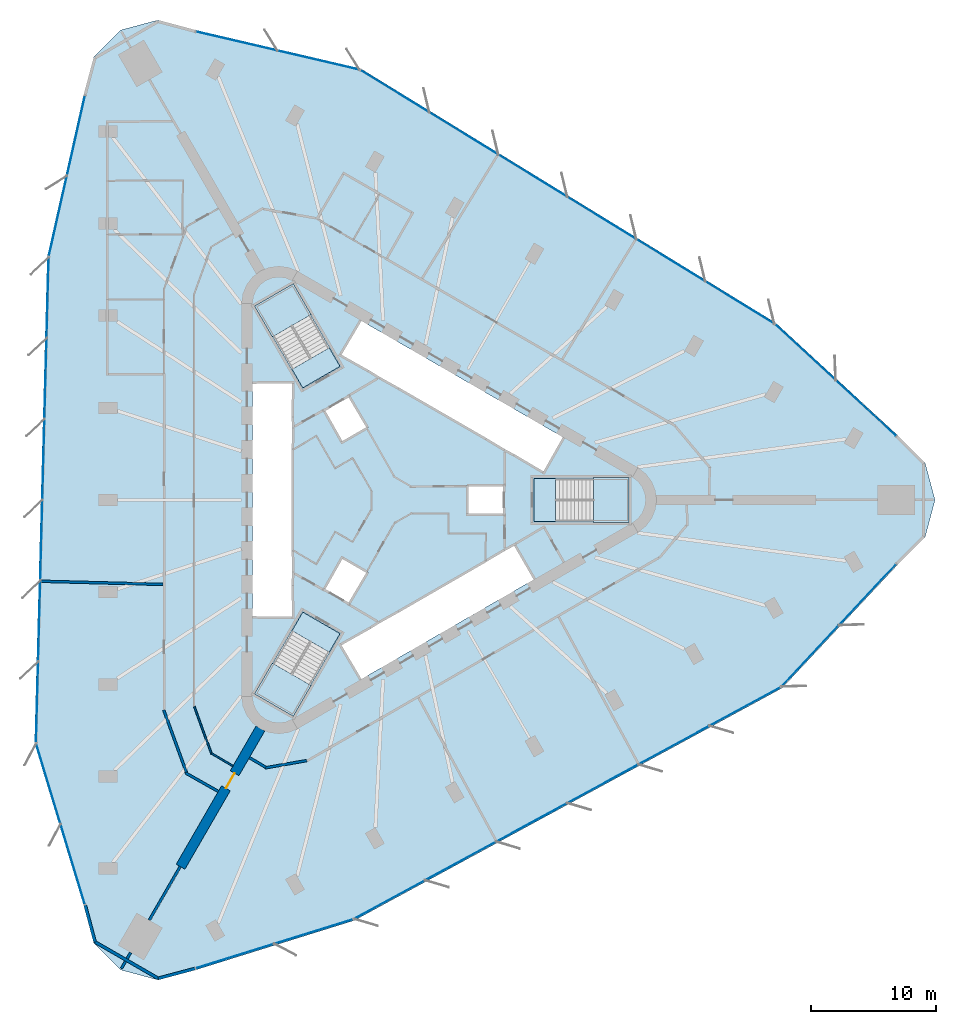
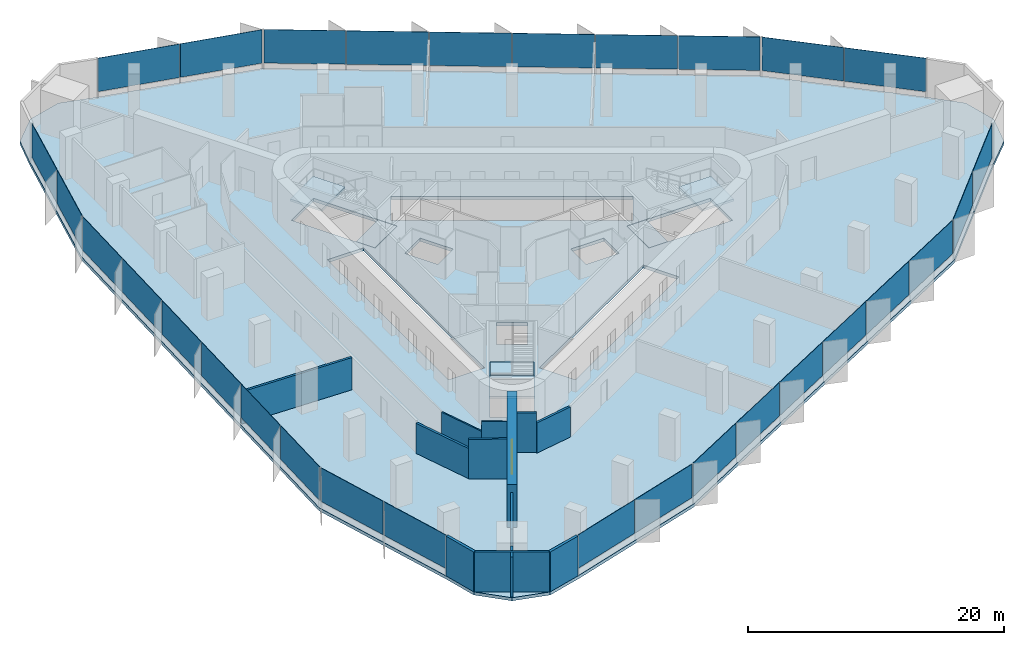
# One storey, part 8 of 14: 30 plates, 14 walls, 7 slabs, 1 door, 1 opening, 12 elements without a shape of their own.
"""IFC4 building model written with IfcOpenShell, lengths in metres."""

from ifc_helpers import new_model, si_unit, direction, frame, frame_2d, origin, origin_2d, place, context, subcontext, project, spatial, polyline, rectangle, outline, extrude, material, layer, layer_set, type_object, element, fill, aggregate, save


model = new_model("IFC4")

# Units and contexts
model_context = context("Model", 3, precision=1e-05, world=origin(), true_north=direction((0.0, 1.0)))
body_context = subcontext(model_context, "Body", "Model", "MODEL_VIEW")
ifc_project = project(units=[si_unit("LENGTHUNIT", "METRE"), si_unit("AREAUNIT", "SQUARE_METRE"), si_unit("VOLUMEUNIT", "CUBIC_METRE"), si_unit("PLANEANGLEUNIT", "RADIAN"), si_unit("MASSUNIT", "GRAM", prefix="KILO")], contexts=[model_context])

# Site, building, storey
site_placement = place(None, origin())
site = spatial("IfcSite", under=ifc_project, at=site_placement, CompositionType="ELEMENT")
building_placement = place(site_placement, origin())
building = spatial("IfcBuilding", under=site, at=building_placement, Name="Tanit Gate Tower", CompositionType="ELEMENT")
storey_placement = place(building_placement, frame((0.0, 0.0, 123.39990234375)))
storey = spatial("IfcBuildingStorey", under=building, at=storey_placement, Name="L26", CompositionType="ELEMENT", Elevation=123.39990234375)

# Slab
ifc_material_1 = material(Name="Concrete C35/45", Category="concrete")
ifc_layer_1 = layer(ifc_material_1, 0.300048828125)
ifc_layer_set_1 = layer_set([ifc_layer_1], Name="FLOOR SLAB 300 C35/45")
slab_type_1 = type_object("IfcSlabType", Name="FLOOR SLAB 300 C35/45", PredefinedType="FLOOR", material=ifc_layer_set_1)
slab_1_placement = place(storey_placement, frame((0.0, 0.0, -0.2998046875)))
element("IfcSlab", 1, at=slab_1_placement, inside=storey, type_object=slab_type_1, Name="FLOOR SLAB L26", PredefinedType="FLOOR", context=body_context, shape_type="SweptSolid", body=[
    extrude(outline(polyline([(40.5380859375, 5.17431640625), (42.72509765625, 2.987548828125), (43.525390625, 0.0), (42.72509765625, -2.987548828125), (40.5380859375, -5.17431640625), (31.245849609375, -15.095947265625), (-3.05810546875, -33.7265625), (-15.787841796875, -37.694091796875), (-18.775390625, -38.49462890625), (-21.7626953125, -37.694091796875), (-23.94970703125, -35.507080078125), (-24.750244140625, -32.519775390625), (-28.6962890625, -19.51171875), (-27.678955078125, 19.51171875), (-24.750244140625, 32.519775390625), (-23.94970703125, 35.507080078125), (-21.7626953125, 37.694091796875), (-18.775390625, 38.49462890625), (-15.787841796875, 37.694091796875), (-2.549560546875, 34.607666015625), (30.7373046875, 14.21484375), (40.5380859375, 5.17431640625)]), holes=[polyline([(11.3701171875, 1.72998046875), (18.929931640625, 1.72998046875), (18.929931640625, -1.72998046875), (11.3701171875, -1.72998046875), (11.3701171875, 1.72998046875)]), polyline([(-4.208984375, 11.60986328125), (-2.583984375, 14.424560546875), (13.783935546875, 4.974609375), (12.158935546875, 2.159912109375), (-4.208984375, 11.60986328125)]), polyline([(-4.208984375, -11.60986328125), (9.82080078125, -3.510009765625), (11.44580078125, -6.324462890625), (-2.583984375, -14.424560546875), (-4.208984375, -11.60986328125)]), polyline([(9.0, 1.199951171875), (9.0, -1.199951171875), (6.0, -1.199951171875), (6.0, 1.199951171875), (9.0, 1.199951171875)]), polyline([(-5.539306640625, 7.194091796875), (-3.460693359375, 8.394287109375), (-1.960693359375, 5.796142578125), (-4.039306640625, 4.59619140625), (-5.539306640625, 7.194091796875)]), polyline([(-1.960693359375, -5.796142578125), (-3.460693359375, -8.394287109375), (-5.539306640625, -7.194091796875), (-4.039306640625, -4.59619140625), (-1.960693359375, -5.796142578125)]), polyline([(-10.963134765625, 15.52880859375), (-7.966796875, 17.2587890625), (-4.186767578125, 10.711669921875), (-7.18310546875, 8.981689453125), (-10.963134765625, 15.52880859375)]), polyline([(-4.186767578125, -10.711669921875), (-7.966796875, -17.2587890625), (-10.963134765625, -15.52880859375), (-7.18310546875, -8.981689453125), (-4.186767578125, -10.711669921875)]), polyline([(-11.199951171875, -9.449951171875), (-11.199951171875, 9.449951171875), (-7.949951171875, 9.449951171875), (-7.949951171875, -9.449951171875), (-11.199951171875, -9.449951171875)])]), origin(), (0.0, 0.0, 1.0), 0.2998046875),
])

# Curtain wall, plates
ifc_material_2 = material(Name="Aluminium bronze anodised and glass", Category="aluminium")
curtain_wall_type = type_object("IfcCurtainWallType", Name="Curtain wall typical low", PredefinedType="NOTDEFINED", material=ifc_material_2)
curtain_wall_1_placement = place(storey_placement, origin())
curtain_wall_1 = element("IfcCurtainWall", 2, at=curtain_wall_1_placement, inside=storey, type_object=curtain_wall_type, Name="Curtain wall L26 NE1", PredefinedType="NOTDEFINED")
ifc_material_3 = material(Name="Glass tinted", Category="glass")
ifc_layer_2 = layer(ifc_material_3, 0.031982421875)
ifc_layer_set_2 = layer_set([ifc_layer_2], Name="Glass panel 32 typical low")
plate_type = type_object("IfcPlateType", Name="Glass panel 32 typical low", PredefinedType="CURTAIN_PANEL", material=ifc_layer_set_2)
plate_1_placement = place(storey_placement, frame((37.992431640625, 7.359130859375, 0.60009765625), z_axis=(0.0, 0.0, 1.0), x_axis=(-0.735046201615, 0.678017021535, 0.0)))
plate_1 = element("IfcPlate", 3, at=plate_1_placement, type_object=plate_type, Name="Glass panel L26 NE1.1", PredefinedType="CURTAIN_PANEL", context=body_context, shape_type="SweptSolid", body=[
    extrude(rectangle(XDim=6.539794921875, YDim=0.031982421875, at=origin_2d()), origin(), (0.0, 0.0, 1.0), 3.199951171875),
])
plate_2_placement = place(storey_placement, frame((33.126708984375, 11.847412109375, 0.60009765625), z_axis=(0.0, 0.0, 1.0), x_axis=(-0.735046201615, 0.678017021535, 0.0)))
plate_2 = element("IfcPlate", 4, at=plate_2_placement, type_object=plate_type, Name="Glass panel L26 NE1.2", PredefinedType="CURTAIN_PANEL", context=body_context, shape_type="SweptSolid", body=[
    extrude(rectangle(XDim=6.53955078125, YDim=0.031982421875, at=origin_2d()), origin(), (0.0, 0.0, 1.0), 3.199951171875),
])
aggregate(curtain_wall_1, [plate_1, plate_2])

curtain_wall_2_placement = place(storey_placement, origin())
curtain_wall_2 = element("IfcCurtainWall", 5, at=curtain_wall_2_placement, inside=storey, type_object=curtain_wall_type, Name="Curtain wall L26 NE2", PredefinedType="NOTDEFINED")
plate_3_placement = place(storey_placement, frame((27.864501953125, 15.833984375, 0.60009765625), z_axis=(0.0, 0.0, 1.0), x_axis=(-0.852699967985, 0.522400961521, 0.0)))
plate_3 = element("IfcPlate", 6, at=plate_3_placement, type_object=plate_type, Name="Glass panel L26 NE2.1", PredefinedType="CURTAIN_PANEL", context=body_context, shape_type="SweptSolid", body=[
    extrude(rectangle(XDim=6.40771484375, YDim=0.031982421875, at=origin_2d()), origin(), (0.0, 0.0, 1.0), 3.199951171875),
])
plate_4_placement = place(storey_placement, frame((22.33251953125, 19.22314453125, 0.60009765625), z_axis=(0.0, 0.0, 1.0), x_axis=(-0.852699967985, 0.522400961521, 0.0)))
plate_4 = element("IfcPlate", 7, at=plate_4_placement, type_object=plate_type, Name="Glass panel L26 NE2.2", PredefinedType="CURTAIN_PANEL", context=body_context, shape_type="SweptSolid", body=[
    extrude(rectangle(XDim=6.40771484375, YDim=0.031982421875, at=origin_2d()), origin(), (0.0, 0.0, 1.0), 3.199951171875),
])
plate_5_placement = place(storey_placement, frame((16.800537109375, 22.6123046875, 0.60009765625), z_axis=(0.0, 0.0, 1.0), x_axis=(-0.852699967985, 0.522400961521, 0.0)))
plate_5 = element("IfcPlate", 8, at=plate_5_placement, type_object=plate_type, Name="Glass panel L26 NE2.3", PredefinedType="CURTAIN_PANEL", context=body_context, shape_type="SweptSolid", body=[
    extrude(rectangle(XDim=6.40771484375, YDim=0.031982421875, at=origin_2d()), origin(), (0.0, 0.0, 1.0), 3.199951171875),
])
plate_6_placement = place(storey_placement, frame((11.268310546875, 26.00146484375, 0.60009765625), z_axis=(0.0, 0.0, 1.0), x_axis=(-0.852699967985, 0.522400961521, 0.0)))
plate_6 = element("IfcPlate", 9, at=plate_6_placement, type_object=plate_type, Name="Glass panel L26 NE2.4", PredefinedType="CURTAIN_PANEL", context=body_context, shape_type="SweptSolid", body=[
    extrude(rectangle(XDim=6.40771484375, YDim=0.031982421875, at=origin_2d()), origin(), (0.0, 0.0, 1.0), 3.199951171875),
])
plate_7_placement = place(storey_placement, frame((5.736328125, 29.390625, 0.60009765625), z_axis=(0.0, 0.0, 1.0), x_axis=(-0.852699967985, 0.522400961521, 0.0)))
plate_7 = element("IfcPlate", 10, at=plate_7_placement, type_object=plate_type, Name="Glass panel L26 NE2.5", PredefinedType="CURTAIN_PANEL", context=body_context, shape_type="SweptSolid", body=[
    extrude(rectangle(XDim=6.40771484375, YDim=0.031982421875, at=origin_2d()), origin(), (0.0, 0.0, 1.0), 3.199951171875),
])
plate_8_placement = place(storey_placement, frame((0.204345703125, 32.77978515625, 0.60009765625), z_axis=(0.0, 0.0, 1.0), x_axis=(-0.852699967985, 0.522400961521, 0.0)))
plate_8 = element("IfcPlate", 11, at=plate_8_placement, type_object=plate_type, Name="Glass panel L26 NE2.6", PredefinedType="CURTAIN_PANEL", context=body_context, shape_type="SweptSolid", body=[
    extrude(rectangle(XDim=6.40771484375, YDim=0.031982421875, at=origin_2d()), origin(), (0.0, 0.0, 1.0), 3.199951171875),
])
aggregate(curtain_wall_2, [plate_3, plate_4, plate_5, plate_6, plate_7, plate_8])

curtain_wall_3_placement = place(storey_placement, origin())
curtain_wall_3 = element("IfcCurtainWall", 12, at=curtain_wall_3_placement, inside=storey, type_object=curtain_wall_type, Name="Curtain wall L26 NE3", PredefinedType="NOTDEFINED")
plate_9_placement = place(storey_placement, frame((-5.92041015625, 35.2705078125, 0.60009765625), z_axis=(0.0, 0.0, 1.0), x_axis=(-0.973881812396, 0.227055533921, 0.0)))
plate_9 = element("IfcPlate", 13, at=plate_9_placement, type_object=plate_type, Name="Glass panel L26 NE3.1", PredefinedType="CURTAIN_PANEL", context=body_context, shape_type="SweptSolid", body=[
    extrude(rectangle(XDim=6.66796875, YDim=0.031982421875, at=origin_2d()), origin(), (0.0, 0.0, 1.0), 3.199951171875),
])
plate_10_placement = place(storey_placement, frame((-12.4921875, 36.802490234375, 0.60009765625), z_axis=(0.0, 0.0, 1.0), x_axis=(-0.973881812396, 0.227055533921, 0.0)))
plate_10 = element("IfcPlate", 14, at=plate_10_placement, type_object=plate_type, Name="Glass panel L26 NE3.2", PredefinedType="CURTAIN_PANEL", context=body_context, shape_type="SweptSolid", body=[
    extrude(rectangle(XDim=6.66796875, YDim=0.031982421875, at=origin_2d()), origin(), (0.0, 0.0, 1.0), 3.199951171875),
])
aggregate(curtain_wall_3, [plate_9, plate_10])

curtain_wall_4_placement = place(storey_placement, origin())
curtain_wall_4 = element("IfcCurtainWall", 15, at=curtain_wall_4_placement, inside=storey, type_object=curtain_wall_type, Name="Curtain wall L26 W1", PredefinedType="NOTDEFINED")
plate_11_placement = place(storey_placement, frame((-25.369384765625, 29.222900390625, 0.60009765625), z_axis=(0.0, 0.0, 1.0), x_axis=(-0.21965686404, -0.975577194321, 0.0)))
plate_11 = element("IfcPlate", 16, at=plate_11_placement, type_object=plate_type, Name="Glass panel L26 W1.1", PredefinedType="CURTAIN_PANEL", context=body_context, shape_type="SweptSolid", body=[
    extrude(rectangle(XDim=6.539794921875, YDim=0.031982421875, at=origin_2d()), origin(), (0.0, 0.0, 1.0), 3.199951171875),
])
plate_12_placement = place(storey_placement, frame((-26.823486328125, 22.764892578125, 0.60009765625), z_axis=(0.0, 0.0, 1.0), x_axis=(-0.21965686404, -0.975577194321, 0.0)))
plate_12 = element("IfcPlate", 17, at=plate_12_placement, type_object=plate_type, Name="Glass panel L26 W1.2", PredefinedType="CURTAIN_PANEL", context=body_context, shape_type="SweptSolid", body=[
    extrude(rectangle(XDim=6.53955078125, YDim=0.031982421875, at=origin_2d()), origin(), (0.0, 0.0, 1.0), 3.199951171875),
])
aggregate(curtain_wall_4, [plate_11, plate_12])

curtain_wall_5_placement = place(storey_placement, origin())
curtain_wall_5 = element("IfcCurtainWall", 18, at=curtain_wall_5_placement, inside=storey, type_object=curtain_wall_type, Name="Curtain wall L26 W2", PredefinedType="NOTDEFINED")
plate_13_placement = place(storey_placement, frame((-27.64501953125, 16.21435546875, 0.60009765625), z_axis=(0.0, 0.0, 1.0), x_axis=(-0.026062519646, -0.999660314842, 0.0)))
plate_13 = element("IfcPlate", 19, at=plate_13_placement, type_object=plate_type, Name="Glass panel L26 W2.1", PredefinedType="CURTAIN_PANEL", context=body_context, shape_type="SweptSolid", body=[
    extrude(rectangle(XDim=6.40771484375, YDim=0.031982421875, at=origin_2d()), origin(), (0.0, 0.0, 1.0), 3.199951171875),
])
plate_14_placement = place(storey_placement, frame((-27.81396484375, 9.728759765625, 0.60009765625), z_axis=(0.0, 0.0, 1.0), x_axis=(-0.026062519646, -0.999660314842, 0.0)))
plate_14 = element("IfcPlate", 20, at=plate_14_placement, type_object=plate_type, Name="Glass panel L26 W2.2", PredefinedType="CURTAIN_PANEL", context=body_context, shape_type="SweptSolid", body=[
    extrude(rectangle(XDim=6.40771484375, YDim=0.031982421875, at=origin_2d()), origin(), (0.0, 0.0, 1.0), 3.199951171875),
])
plate_15_placement = place(storey_placement, frame((-27.983154296875, 3.243408203125, 0.60009765625), z_axis=(0.0, 0.0, 1.0), x_axis=(-0.026062519646, -0.999660314842, 0.0)))
plate_15 = element("IfcPlate", 21, at=plate_15_placement, type_object=plate_type, Name="Glass panel L26 W2.3", PredefinedType="CURTAIN_PANEL", context=body_context, shape_type="SweptSolid", body=[
    extrude(rectangle(XDim=6.40771484375, YDim=0.031982421875, at=origin_2d()), origin(), (0.0, 0.0, 1.0), 3.199951171875),
])
plate_16_placement = place(storey_placement, frame((-28.152099609375, -3.241943359375, 0.60009765625), z_axis=(0.0, 0.0, 1.0), x_axis=(-0.026062519646, -0.999660314842, 0.0)))
plate_16 = element("IfcPlate", 22, at=plate_16_placement, type_object=plate_type, Name="Glass panel L26 W2.4", PredefinedType="CURTAIN_PANEL", context=body_context, shape_type="SweptSolid", body=[
    extrude(rectangle(XDim=6.40771484375, YDim=0.031982421875, at=origin_2d()), origin(), (0.0, 0.0, 1.0), 3.199951171875),
])
plate_17_placement = place(storey_placement, frame((-28.3212890625, -9.7275390625, 0.60009765625), z_axis=(0.0, 0.0, 1.0), x_axis=(-0.026062519646, -0.999660314842, 0.0)))
plate_17 = element("IfcPlate", 23, at=plate_17_placement, type_object=plate_type, Name="Glass panel L26 W2.5", PredefinedType="CURTAIN_PANEL", context=body_context, shape_type="SweptSolid", body=[
    extrude(rectangle(XDim=6.40771484375, YDim=0.031982421875, at=origin_2d()), origin(), (0.0, 0.0, 1.0), 3.199951171875),
])
plate_18_placement = place(storey_placement, frame((-28.490234375, -16.212890625, 0.60009765625), z_axis=(0.0, 0.0, 1.0), x_axis=(-0.026062519646, -0.999660314842, 0.0)))
plate_18 = element("IfcPlate", 24, at=plate_18_placement, type_object=plate_type, Name="Glass panel L26 W2.6", PredefinedType="CURTAIN_PANEL", context=body_context, shape_type="SweptSolid", body=[
    extrude(rectangle(XDim=6.40771484375, YDim=0.031982421875, at=origin_2d()), origin(), (0.0, 0.0, 1.0), 3.199951171875),
])
aggregate(curtain_wall_5, [plate_13, plate_14, plate_15, plate_16, plate_17, plate_18])

curtain_wall_6_placement = place(storey_placement, origin())
curtain_wall_6 = element("IfcCurtainWall", 25, at=curtain_wall_6_placement, inside=storey, type_object=curtain_wall_type, Name="Curtain wall L26 W3", PredefinedType="NOTDEFINED")
plate_19_placement = place(storey_placement, frame((-27.584716796875, -22.762451171875, 0.60009765625), z_axis=(0.0, 0.0, 1.0), x_axis=(0.290305045753, -0.956934156779, 0.0)))
plate_19 = element("IfcPlate", 26, at=plate_19_placement, type_object=plate_type, Name="Glass panel L26 W3.1", PredefinedType="CURTAIN_PANEL", context=body_context, shape_type="SweptSolid", body=[
    extrude(rectangle(XDim=6.66796875, YDim=0.031982421875, at=origin_2d()), origin(), (0.0, 0.0, 1.0), 3.199951171875),
])
plate_20_placement = place(storey_placement, frame((-25.6259765625, -29.2197265625, 0.60009765625), z_axis=(0.0, 0.0, 1.0), x_axis=(0.290305045753, -0.956934156779, 0.0)))
plate_20 = element("IfcPlate", 27, at=plate_20_placement, type_object=plate_type, Name="Glass panel L26 W3.2", PredefinedType="CURTAIN_PANEL", context=body_context, shape_type="SweptSolid", body=[
    extrude(rectangle(XDim=6.66796875, YDim=0.031982421875, at=origin_2d()), origin(), (0.0, 0.0, 1.0), 3.199951171875),
])
aggregate(curtain_wall_6, [plate_19, plate_20])

curtain_wall_7_placement = place(storey_placement, origin())
curtain_wall_7 = element("IfcCurtainWall", 28, at=curtain_wall_7_placement, inside=storey, type_object=curtain_wall_type, Name="Curtain wall L26 SE1", PredefinedType="NOTDEFINED")
plate_21_placement = place(storey_placement, frame((-12.623046875, -36.58203125, 0.60009765625), z_axis=(0.0, 0.0, 1.0), x_axis=(0.954703065655, 0.297560172786, 0.0)))
plate_21 = element("IfcPlate", 29, at=plate_21_placement, type_object=plate_type, Name="Glass panel L26 SE1.1", PredefinedType="CURTAIN_PANEL", context=body_context, shape_type="SweptSolid", body=[
    extrude(rectangle(XDim=6.539794921875, YDim=0.031982421875, at=origin_2d()), origin(), (0.0, 0.0, 1.0), 3.199951171875),
])
plate_22_placement = place(storey_placement, frame((-6.30322265625, -34.6123046875, 0.60009765625), z_axis=(0.0, 0.0, 1.0), x_axis=(0.954703065655, 0.297560172786, 0.0)))
plate_22 = element("IfcPlate", 30, at=plate_22_placement, type_object=plate_type, Name="Glass panel L26 SE1.2", PredefinedType="CURTAIN_PANEL", context=body_context, shape_type="SweptSolid", body=[
    extrude(rectangle(XDim=6.53955078125, YDim=0.031982421875, at=origin_2d()), origin(), (0.0, 0.0, 1.0), 3.199951171875),
])
aggregate(curtain_wall_7, [plate_21, plate_22])

curtain_wall_8_placement = place(storey_placement, origin())
curtain_wall_8 = element("IfcCurtainWall", 31, at=curtain_wall_8_placement, inside=storey, type_object=curtain_wall_type, Name="Curtain wall L26 SE2", PredefinedType="NOTDEFINED")
plate_23_placement = place(storey_placement, frame((-0.219482421875, -32.04833984375, 0.60009765625), z_axis=(0.0, 0.0, 1.0), x_axis=(0.878762487631, 0.477259353321, 0.0)))
plate_23 = element("IfcPlate", 32, at=plate_23_placement, type_object=plate_type, Name="Glass panel L26 SE2.1", PredefinedType="CURTAIN_PANEL", context=body_context, shape_type="SweptSolid", body=[
    extrude(rectangle(XDim=6.40771484375, YDim=0.031982421875, at=origin_2d()), origin(), (0.0, 0.0, 1.0), 3.199951171875),
])
plate_24_placement = place(storey_placement, frame((5.4814453125, -28.9521484375, 0.60009765625), z_axis=(0.0, 0.0, 1.0), x_axis=(0.878762487631, 0.477259353321, 0.0)))
plate_24 = element("IfcPlate", 33, at=plate_24_placement, type_object=plate_type, Name="Glass panel L26 SE2.2", PredefinedType="CURTAIN_PANEL", context=body_context, shape_type="SweptSolid", body=[
    extrude(rectangle(XDim=6.40771484375, YDim=0.031982421875, at=origin_2d()), origin(), (0.0, 0.0, 1.0), 3.199951171875),
])
plate_25_placement = place(storey_placement, frame((11.1826171875, -25.855712890625, 0.60009765625), z_axis=(0.0, 0.0, 1.0), x_axis=(0.878762487631, 0.477259353321, 0.0)))
plate_25 = element("IfcPlate", 34, at=plate_25_placement, type_object=plate_type, Name="Glass panel L26 SE2.3", PredefinedType="CURTAIN_PANEL", context=body_context, shape_type="SweptSolid", body=[
    extrude(rectangle(XDim=6.40771484375, YDim=0.031982421875, at=origin_2d()), origin(), (0.0, 0.0, 1.0), 3.199951171875),
])
plate_26_placement = place(storey_placement, frame((16.8837890625, -22.759521484375, 0.60009765625), z_axis=(0.0, 0.0, 1.0), x_axis=(0.878762487631, 0.477259353321, 0.0)))
plate_26 = element("IfcPlate", 35, at=plate_26_placement, type_object=plate_type, Name="Glass panel L26 SE2.4", PredefinedType="CURTAIN_PANEL", context=body_context, shape_type="SweptSolid", body=[
    extrude(rectangle(XDim=6.40771484375, YDim=0.031982421875, at=origin_2d()), origin(), (0.0, 0.0, 1.0), 3.199951171875),
])
plate_27_placement = place(storey_placement, frame((22.584716796875, -19.6630859375, 0.60009765625), z_axis=(0.0, 0.0, 1.0), x_axis=(0.878762487631, 0.477259353321, 0.0)))
plate_27 = element("IfcPlate", 36, at=plate_27_placement, type_object=plate_type, Name="Glass panel L26 SE2.5", PredefinedType="CURTAIN_PANEL", context=body_context, shape_type="SweptSolid", body=[
    extrude(rectangle(XDim=6.40771484375, YDim=0.031982421875, at=origin_2d()), origin(), (0.0, 0.0, 1.0), 3.199951171875),
])
plate_28_placement = place(storey_placement, frame((28.285888671875, -16.56689453125, 0.60009765625), z_axis=(0.0, 0.0, 1.0), x_axis=(0.878762487631, 0.477259353321, 0.0)))
plate_28 = element("IfcPlate", 37, at=plate_28_placement, type_object=plate_type, Name="Glass panel L26 SE2.6", PredefinedType="CURTAIN_PANEL", context=body_context, shape_type="SweptSolid", body=[
    extrude(rectangle(XDim=6.40771484375, YDim=0.031982421875, at=origin_2d()), origin(), (0.0, 0.0, 1.0), 3.199951171875),
])
aggregate(curtain_wall_8, [plate_23, plate_24, plate_25, plate_26, plate_27, plate_28])

curtain_wall_9_placement = place(storey_placement, origin())
curtain_wall_9 = element("IfcCurtainWall", 38, at=curtain_wall_9_placement, inside=storey, type_object=curtain_wall_type, Name="Curtain wall L26 SE3", PredefinedType="NOTDEFINED")
plate_29_placement = place(storey_placement, frame((33.50537109375, -12.5078125, 0.60009765625), z_axis=(0.0, 0.0, 1.0), x_axis=(0.683576766643, 0.729878622858, 0.0)))
plate_29 = element("IfcPlate", 39, at=plate_29_placement, type_object=plate_type, Name="Glass panel L26 SE3.1", PredefinedType="CURTAIN_PANEL", context=body_context, shape_type="SweptSolid", body=[
    extrude(rectangle(XDim=6.66796875, YDim=0.031982421875, at=origin_2d()), origin(), (0.0, 0.0, 1.0), 3.199951171875),
])
plate_30_placement = place(storey_placement, frame((38.117919921875, -7.582763671875, 0.60009765625), z_axis=(0.0, 0.0, 1.0), x_axis=(0.683576766643, 0.729878622858, 0.0)))
plate_30 = element("IfcPlate", 40, at=plate_30_placement, type_object=plate_type, Name="Glass panel L26 SE3.2", PredefinedType="CURTAIN_PANEL", context=body_context, shape_type="SweptSolid", body=[
    extrude(rectangle(XDim=6.66796875, YDim=0.031982421875, at=origin_2d()), origin(), (0.0, 0.0, 1.0), 3.199951171875),
])
aggregate(curtain_wall_9, [plate_29, plate_30])

# Stair, slab
ifc_material_4 = material(Name="Concrete C40/50", Category="concrete")
stair_type = type_object("IfcStairType", Name="INT-STAIR-EXIT", PredefinedType="HALF_TURN_STAIR", material=ifc_material_4)
stair_1_placement = place(storey_placement, origin())
stair_1 = element("IfcStair", 41, at=stair_1_placement, inside=storey, type_object=stair_type, Name="L26 STAIR S1", PredefinedType="HALF_TURN_STAIR")
ifc_material_5 = material(Name="Concrete C40/50", Category="concrete")
ifc_layer_3 = layer(ifc_material_5, 0.199951171875)
ifc_layer_set_3 = layer_set([ifc_layer_3], Name="INT-STAIR-LANDING")
slab_type_2 = type_object("IfcSlabType", Name="INT-STAIR-LANDING", PredefinedType="LANDING", material=ifc_layer_set_3)
slab_2_placement = place(storey_placement, frame((0.0, 0.0, 1.85009765625)))
slab_2 = element("IfcSlab", 42, at=slab_2_placement, type_object=slab_type_2, Name="S1 landing 1", PredefinedType="LANDING", context=body_context, shape_type="SweptSolid", body=[
    extrude(outline(polyline([(16.135986328125, -1.800048828125), (19.0, -1.800048828125), (19.0, 1.800048828125), (16.135986328125, 1.800048828125), (16.135986328125, -1.800048828125)])), origin(), (0.0, 0.0, 1.0), 0.199951171875),
])
aggregate(stair_1, [slab_2])

# Slab
slab_3_placement = place(storey_placement, frame((0.0, 0.0, -0.199951171875)))
element("IfcSlab", 43, at=slab_3_placement, inside=storey, type_object=slab_type_2, Name="S1 floor landing", PredefinedType="LANDING", context=body_context, shape_type="SweptSolid", body=[
    extrude(outline(polyline([(11.3798828125, -1.719970703125), (13.10498046875, -1.719970703125), (13.10498046875, 1.719970703125), (11.3798828125, 1.719970703125), (11.3798828125, -1.719970703125)])), origin(), (0.0, 0.0, 1.0), 0.199951171875),
])

# Stair, slab
stair_2_placement = place(storey_placement, origin())
stair_2 = element("IfcStair", 44, at=stair_2_placement, inside=storey, type_object=stair_type, Name="L26 STAIR S2", PredefinedType="HALF_TURN_STAIR")
slab_4_placement = place(storey_placement, frame((0.0, 0.0, 1.85009765625)))
slab_4 = element("IfcSlab", 45, at=slab_4_placement, type_object=slab_type_2, Name="S2 landing 1", PredefinedType="LANDING", context=body_context, shape_type="SweptSolid", body=[
    extrude(outline(polyline([(-6.5078125, 14.871826171875), (-7.941162109375, 17.3544921875), (-11.058837890625, 15.554443359375), (-9.62548828125, 13.07177734375), (-6.5078125, 14.871826171875)])), origin(), (0.0, 0.0, 1.0), 0.199951171875),
])
aggregate(stair_2, [slab_4])

# Slab
slab_5_placement = place(storey_placement, frame((0.0, 0.0, -0.199951171875)))
element("IfcSlab", 46, at=slab_5_placement, inside=storey, type_object=slab_type_2, Name="S2 floor landing", PredefinedType="LANDING", context=body_context, shape_type="SweptSolid", body=[
    extrude(outline(polyline([(-4.200439453125, 10.71533203125), (-5.0625, 12.20849609375), (-8.04150390625, 10.48828125), (-7.179443359375, 8.995361328125), (-4.200439453125, 10.71533203125)])), origin(), (0.0, 0.0, 1.0), 0.199951171875),
])

# Stair, slab
stair_3_placement = place(storey_placement, origin())
stair_3 = element("IfcStair", 47, at=stair_3_placement, inside=storey, type_object=stair_type, Name="L26 STAIR S3", PredefinedType="HALF_TURN_STAIR")
slab_6_placement = place(storey_placement, frame((0.0, 0.0, 1.85009765625)))
slab_6 = element("IfcSlab", 48, at=slab_6_placement, type_object=slab_type_2, Name="S3 landing 1", PredefinedType="LANDING", context=body_context, shape_type="SweptSolid", body=[
    extrude(outline(polyline([(-9.626953125, -13.07421875), (-11.058837890625, -15.554443359375), (-7.941162109375, -17.3544921875), (-6.509033203125, -14.874267578125), (-9.626953125, -13.07421875)])), origin(), (0.0, 0.0, 1.0), 0.199951171875),
])
aggregate(stair_3, [slab_6])

# Slab
slab_7_placement = place(storey_placement, frame((0.0, 0.0, -0.199951171875)))
element("IfcSlab", 49, at=slab_7_placement, inside=storey, type_object=slab_type_2, Name="S3 floor landing", PredefinedType="LANDING", context=body_context, shape_type="SweptSolid", body=[
    extrude(outline(polyline([(-7.179443359375, -8.995361328125), (-8.0419921875, -10.4892578125), (-5.06298828125, -12.209228515625), (-4.200439453125, -10.71533203125), (-7.179443359375, -8.995361328125)])), origin(), (0.0, 0.0, 1.0), 0.199951171875),
])

# Wall, opening, door
ifc_material_6 = material(Name="Concrete C60/75", Category="concrete")
ifc_layer_4 = layer(ifc_material_6, 0.800048828125)
ifc_layer_set_4 = layer_set([ifc_layer_4], Name="BUTTRESS FIN 800 C60/75")
wall_type_1 = type_object("IfcWallType", Name="BUTTRESS FIN 800 C60/75", PredefinedType="SHEAR", material=ifc_layer_set_4)
wall_1_placement = place(storey_placement, frame((-10.574951171875, -18.31640625, 0.0), z_axis=(0.0, 0.0, 1.0), x_axis=(-0.500008359956, -0.866020577108, 0.0)))
wall_1 = element("IfcWall", 50, at=wall_1_placement, inside=storey, type_object=wall_type_1, Name="BUTTRESS FIN", PredefinedType="SHEAR", context=body_context, shape_type="SweptSolid", body=[
    extrude(rectangle(XDim=12.812255859375, YDim=0.800048828125, at=frame_2d((6.40625, 0.0))), origin(), (0.0, 0.0, 1.0), 4.10009765625),
])
opening_placement = place(wall_1_placement, frame((4.14990234375, 0.0, 0.0)))
opening = element("IfcOpeningElement", 51, at=opening_placement, cuts=wall_1, Name="Opening P14-S06-F-SW-1", PredefinedType="OPENING", context=body_context, shape_type="SweptSolid", body=[
    extrude(rectangle(XDim=1.39990234375, YDim=2.39990234375, at=frame_2d((0.699951171875, 1.199951171875))), frame((0.0, 0.41015625, 0.0), z_axis=(0.0, -1.0, 0.0), x_axis=(1.0, 0.0, 0.0)), (0.0, 0.0, 1.0), 0.820068359375),
])
ifc_material_7 = material(Name="Timber door leaf", Category="wood")
door_type = type_object("IfcDoorType", Name="INT-DOOR-FIN-PAIR-1400", OperationType="NOTDEFINED", PredefinedType="NOTDEFINED", material=ifc_material_7)
door_placement = place(opening_placement, origin())
door = element("IfcDoor", 52, at=door_placement, inside=storey, type_object=door_type, Name="Door P14-S06-F-SW-1", OperationType="DOUBLE_DOOR_SINGLE_SWING", OverallHeight=2.39990234375, OverallWidth=1.39990234375, PredefinedType="NOTDEFINED", context=body_context, shape_type="SweptSolid", body=[
    extrude(rectangle(XDim=1.39990234375, YDim=2.39990234375, at=frame_2d((0.699951171875, 1.199951171875))), frame((0.0, 0.02490234375, 0.0), z_axis=(0.0, -1.0, 0.0), x_axis=(1.0, 0.0, 0.0)), (0.0, 0.0, 1.0), 0.050048828125),
])
fill(opening, door)

# Walls
ifc_material_8 = material(Name="Concrete C30/37 with bronze anodised aluminium cladding", Category="concrete")
ifc_layer_5 = layer(ifc_material_8, 0.239990234375)
ifc_layer_set_5 = layer_set([ifc_layer_5], Name="Facade wall bronze clad 240")
wall_type_2 = type_object("IfcWallType", Name="Facade wall bronze clad 240", PredefinedType="SOLIDWALL", material=ifc_layer_set_5)
wall_2_placement = place(storey_placement, frame((-24.634765625, -32.48681640625, 0.0), z_axis=(0.0, 0.0, 1.0), x_axis=(0.258838355735, -0.965920651814, 0.0)))
element("IfcWall", 53, at=wall_2_placement, inside=storey, type_object=wall_type_2, Name="Bronze-clad facade wall L26 SW.arc1", PredefinedType="SOLIDWALL", context=body_context, shape_type="SweptSolid", body=[
    extrude(rectangle(XDim=3.062744140625, YDim=0.239990234375, at=frame_2d((1.53125, 0.0))), origin(), (0.0, 0.0, 1.0), 3.800048828125),
])
wall_3_placement = place(storey_placement, frame((-23.842041015625, -35.445068359375, 0.0), z_axis=(0.0, 0.0, 1.0), x_axis=(0.866031321059, -0.49998975084, 0.0)))
element("IfcWall", 54, at=wall_3_placement, inside=storey, type_object=wall_type_2, Name="Bronze-clad facade wall L26 SW.arc2", PredefinedType="SOLIDWALL", context=body_context, shape_type="SweptSolid", body=[
    extrude(rectangle(XDim=5.8505859375, YDim=0.239990234375, at=frame_2d((2.92529296875, 0.0))), origin(), (0.0, 0.0, 1.0), 3.800048828125),
])
wall_4_placement = place(storey_placement, frame((-18.775146484375, -38.370361328125, 0.0), z_axis=(0.0, 0.0, 1.0), x_axis=(0.965924175265, 0.258825206729, 0.0)))
element("IfcWall", 55, at=wall_4_placement, inside=storey, type_object=wall_type_2, Name="Bronze-clad facade wall L26 SW.arc3", PredefinedType="SOLIDWALL", context=body_context, shape_type="SweptSolid", body=[
    extrude(rectangle(XDim=3.05810546875, YDim=0.239990234375, at=frame_2d((1.529052734375, 0.0))), origin(), (0.0, 0.0, 1.0), 3.800048828125),
])
ifc_material_9 = material(Name="Fire-rated gypsum board partition")
ifc_layer_6 = layer(ifc_material_9, 0.199951171875)
ifc_layer_set_6 = layer_set([ifc_layer_6], Name="INT-WALL-COMPARTMENT")
wall_type_3 = type_object("IfcWallType", Name="INT-WALL-COMPARTMENT", PredefinedType="PARTITIONING", material=ifc_layer_set_6)
wall_5_placement = place(storey_placement, frame((-16.576416015625, -21.89208984375, 0.0), z_axis=(0.0, 0.0, 1.0), x_axis=(0.870559817111, -0.492062602553, 0.0)))
element("IfcWall", 56, at=wall_5_placement, inside=storey, type_object=wall_type_3, Name="Wall Compartment W088", PredefinedType="PARTITIONING", context=body_context, shape_type="SweptSolid", body=[
    extrude(rectangle(XDim=3.009765625, YDim=0.199951171875, at=frame_2d((1.5048828125, 0.0))), origin(), (0.0, 0.0, 1.0), 3.800048828125),
])
wall_6_placement = place(storey_placement, frame((-18.334228515625, -16.84033203125, 0.0), z_axis=(0.0, 0.0, 1.0), x_axis=(0.342015877493, -0.939694173411, 0.0)))
element("IfcWall", 57, at=wall_6_placement, inside=storey, type_object=wall_type_3, Name="Wall Compartment W089", PredefinedType="PARTITIONING", context=body_context, shape_type="SweptSolid", body=[
    extrude(rectangle(XDim=5.388671875, YDim=0.199951171875, at=frame_2d((2.6943359375, 0.0))), origin(), (0.0, 0.0, 1.0), 2.880126953125),
])
wall_7_placement = place(storey_placement, frame((-10.22021484375, -21.489501953125, 0.0), z_axis=(0.0, 0.0, 1.0), x_axis=(0.984805188344, 0.173662721995, 0.0)))
element("IfcWall", 58, at=wall_7_placement, inside=storey, type_object=wall_type_3, Name="Wall Compartment W111", PredefinedType="PARTITIONING", context=body_context, shape_type="SweptSolid", body=[
    extrude(rectangle(XDim=3.40771484375, YDim=0.199951171875, at=frame_2d((1.703857421875, 0.0))), origin(), (0.0, 0.0, 1.0), 2.880126953125),
])
wall_8_placement = place(storey_placement, frame((-11.46484375, -20.657470703125, 0.0), z_axis=(0.0, 0.0, 1.0), x_axis=(0.858376755127, -0.513019830276, 0.0)))
element("IfcWall", 59, at=wall_8_placement, inside=storey, type_object=wall_type_3, Name="Wall Compartment W112", PredefinedType="PARTITIONING", context=body_context, shape_type="SweptSolid", body=[
    extrude(rectangle(XDim=1.533203125, YDim=0.199951171875, at=frame_2d((0.7666015625, 0.0))), origin(), (0.0, 0.0, 1.0), 3.800048828125),
])
wall_9_placement = place(storey_placement, frame((-18.39990234375, -6.771240234375, 0.0), z_axis=(0.0, 0.0, 1.0), x_axis=(-0.999660021388, 0.026073772986, 0.0)))
element("IfcWall", 60, at=wall_9_placement, inside=storey, type_object=wall_type_3, Name="Wall Compartment W113", PredefinedType="PARTITIONING", context=body_context, shape_type="SweptSolid", body=[
    extrude(rectangle(XDim=9.841064453125, YDim=0.199951171875, at=frame_2d((4.92041015625, 0.0))), origin(), (0.0, 0.0, 1.0), 3.080078125),
])
wall_10_placement = place(storey_placement, frame((-17.007080078125, -29.397216796875, 0.0), z_axis=(0.0, 0.0, 1.0), x_axis=(-0.500006314404, -0.866021758131, 0.0)))
element("IfcWall", 61, at=wall_10_placement, inside=storey, type_object=wall_type_3, Name="Wall Compartment W115", PredefinedType="PARTITIONING", context=body_context, shape_type="SweptSolid", body=[
    extrude(rectangle(XDim=4.96337890625, YDim=0.199951171875, at=frame_2d((2.481689453125, 0.0))), origin(), (0.0, 0.0, 1.0), 3.3701171875),
])
wall_11_placement = place(storey_placement, frame((-20.98876953125, -36.29345703125, 0.0), z_axis=(0.0, 0.0, 1.0), x_axis=(-0.499857944771, -0.866107403877, 0.0)))
element("IfcWall", 62, at=wall_11_placement, inside=storey, type_object=wall_type_3, Name="Wall Compartment W114", PredefinedType="PARTITIONING", context=body_context, shape_type="SweptSolid", body=[
    extrude(rectangle(XDim=0.572021484375, YDim=0.199951171875, at=frame_2d((0.2861328125, 0.0))), origin(), (0.0, 0.0, 1.0), 3.800048828125),
])
wall_12_placement = place(storey_placement, frame((-21.394775390625, -36.99658203125, 0.0), z_axis=(0.0, 0.0, 1.0), x_axis=(-0.499862072928, -0.866105021373, 0.0)))
element("IfcWall", 63, at=wall_12_placement, inside=storey, type_object=wall_type_3, Name="Wall Compartment W114x1", PredefinedType="PARTITIONING", context=body_context, shape_type="SweptSolid", body=[
    extrude(rectangle(XDim=0.656005859375, YDim=0.199951171875, at=frame_2d((0.328125, 0.0))), origin(), (0.0, 0.0, 1.0), 3.800048828125),
])
ifc_material_10 = material(Name="Gypsum board partition")
ifc_layer_7 = layer(ifc_material_10, 0.1201171875)
ifc_layer_set_7 = layer_set([ifc_layer_7], Name="INT-WALL-PARTITION")
wall_type_4 = type_object("IfcWallType", Name="INT-WALL-PARTITION", PredefinedType="PARTITIONING", material=ifc_layer_set_7)
wall_13_placement = place(storey_placement, frame((-15.87939453125, -16.5673828125, 0.0), z_axis=(0.0, 0.0, 1.0), x_axis=(0.341999322503, -0.939700198685, 0.0)))
element("IfcWall", 64, at=wall_13_placement, inside=storey, type_object=wall_type_4, Name="Wall Partition W086", PredefinedType="PARTITIONING", context=body_context, shape_type="SweptSolid", body=[
    extrude(rectangle(XDim=4.053955078125, YDim=0.1201171875, at=frame_2d((2.02685546875, 0.0))), origin(), (0.0, 0.0, 1.0), 2.880126953125),
])
wall_14_placement = place(storey_placement, frame((-14.494140625, -20.322021484375, 0.0), z_axis=(0.0, 0.0, 1.0), x_axis=(0.859745408261, -0.510722853389, 0.0)))
element("IfcWall", 65, at=wall_14_placement, inside=storey, type_object=wall_type_4, Name="Wall Partition W087", PredefinedType="PARTITIONING", context=body_context, shape_type="SweptSolid", body=[
    extrude(rectangle(XDim=1.991455078125, YDim=0.1201171875, at=frame_2d((0.99560546875, 0.0))), origin(), (0.0, 0.0, 1.0), 3.800048828125),
])

save(model, "model.ifc")
